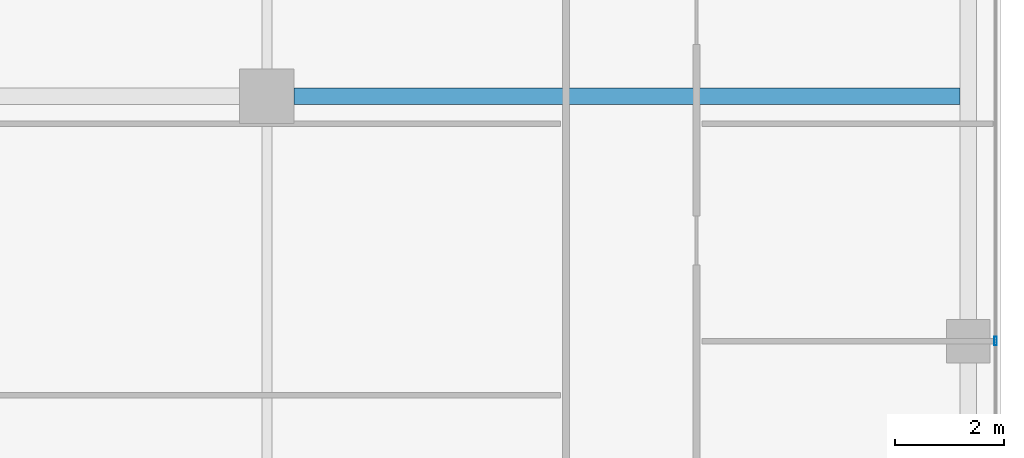
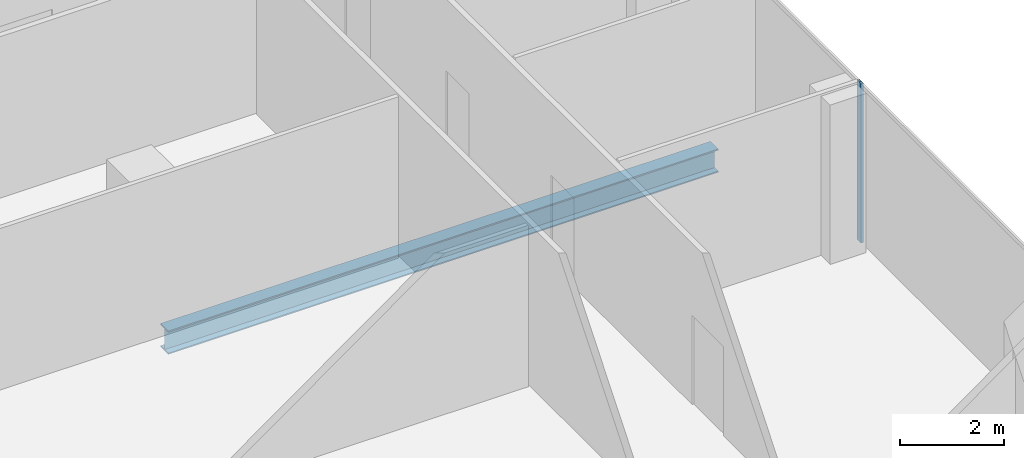
# One storey, part 11 of 29: 1 beam, 1 member, 1 element without a shape of its own.
"""IFC4 building model written with IfcOpenShell, lengths in metres."""

from ifc_helpers import new_model, si_unit, direction, frame, origin, origin_2d, place, context, subcontext, project, spatial, hollow_rectangle, i_section, extrude, source, transform, mapped, material, material_profile, profile_set, type_object, element, aggregate, save


model = new_model("IFC4")

# Units and contexts
model_context = context("Model", 3, precision=1e-05, world=origin(), true_north=direction((0.0, 1.0)))
body_context = subcontext(model_context, "Body", "Model", "MODEL_VIEW")
ifc_project = project(units=[si_unit("LENGTHUNIT", "METRE"), si_unit("AREAUNIT", "SQUARE_METRE"), si_unit("VOLUMEUNIT", "CUBIC_METRE"), si_unit("PLANEANGLEUNIT", "RADIAN"), si_unit("MASSUNIT", "GRAM", prefix="KILO")], contexts=[model_context])

# Site, building, storey
site_placement = place(None, origin())
site = spatial("IfcSite", under=ifc_project, at=site_placement, CompositionType="ELEMENT")
building_placement = place(site_placement, origin())
building = spatial("IfcBuilding", under=site, at=building_placement, Name="Khomas Fold Tower", CompositionType="ELEMENT")
storey_placement = place(building_placement, frame((0.0, 0.0, 314.199951171875)))
storey = spatial("IfcBuildingStorey", under=building, at=storey_placement, Name="L71", CompositionType="ELEMENT", Elevation=314.199951171875)

# Beam
ifc_material_1 = material(Name="Steel S355", Category="steel")
ifc_material_profile_1 = material_profile(ifc_material_1, i_section(OverallWidth=0.300048828125, OverallDepth=0.550048828125, WebThickness=0.014892578125, FlangeThickness=0.029052734375, at=origin_2d()), Name="HE 550 B")
ifc_profile_set_1 = profile_set([ifc_material_profile_1], Name="Steel S355")
beam_type = type_object("IfcBeamType", Name="HE 550 B beam GB4", PredefinedType="BEAM", material=ifc_profile_set_1)
shared_shape_1 = source(origin(), body_context, "Body", "SweptSolid", [
    extrude(i_section(OverallWidth=0.300048828125, OverallDepth=0.550048828125, WebThickness=0.014892578125, FlangeThickness=0.029052734375, at=origin_2d()), origin(), (0.0, 0.0, 1.0), 12.25),
])
beam_placement = place(storey_placement, frame((35.0, 31.5, -0.52490234375), z_axis=(1.0, 0.0, 0.0), x_axis=(0.0, 1.0, 0.0)))
element("IfcBeam", 1, at=beam_placement, inside=storey, type_object=beam_type, Name="GB4", PredefinedType="BEAM", context=body_context, shape_type="MappedRepresentation", body=[
    mapped(shared_shape_1, transform((0.0, 0.0, 0.0))),
])

# Curtain wall, member
ifc_material_2 = material(Name="Aluminium framed double glazing", Category="aluminium")
curtain_wall_type = type_object("IfcCurtainWallType", Name="SK-Unitised clear-glass wall, upper floors CW3", PredefinedType="NOTDEFINED", material=ifc_material_2)
curtain_wall_placement = place(storey_placement, origin())
curtain_wall = element("IfcCurtainWall", 2, at=curtain_wall_placement, inside=storey, type_object=curtain_wall_type, Name="CW3 run L71 03-0", PredefinedType="NOTDEFINED")
ifc_material_3 = material(Name="Aluminium", Category="aluminium")
ifc_material_profile_2 = material_profile(ifc_material_3, hollow_rectangle(XDim=0.050048828125, YDim=0.159912109375, WallThickness=0.00390625, at=origin_2d()), Name="SK-Unitised clear-glass wall, upper floors mullion CW3-M")
ifc_profile_set_2 = profile_set([ifc_material_profile_2], Name="Aluminium")
member_type = type_object("IfcMemberType", Name="SK-Unitised clear-glass wall, upper floors mullion CW3-M", PredefinedType="MULLION", material=ifc_profile_set_2)
shared_shape_2 = source(origin(), body_context, "Body", "SweptSolid", [
    extrude(hollow_rectangle(XDim=0.050048828125, YDim=0.159912109375, WallThickness=0.00390625, at=origin_2d()), origin(), (0.0, 0.0, 1.0), 3.75),
])
member_placement = place(storey_placement, frame((47.89990234375, 27.0, 0.0), z_axis=(0.0, 0.0, 1.0), x_axis=(-1.0, 0.0, 0.0)))
member = element("IfcMember", 3, at=member_placement, type_object=member_type, Name="CW3 mullion 4", PredefinedType="MULLION", context=body_context, shape_type="MappedRepresentation", body=[
    mapped(shared_shape_2, transform((0.0, 0.0, 0.0))),
])
aggregate(curtain_wall, [member])

save(model, "model.ifc")
